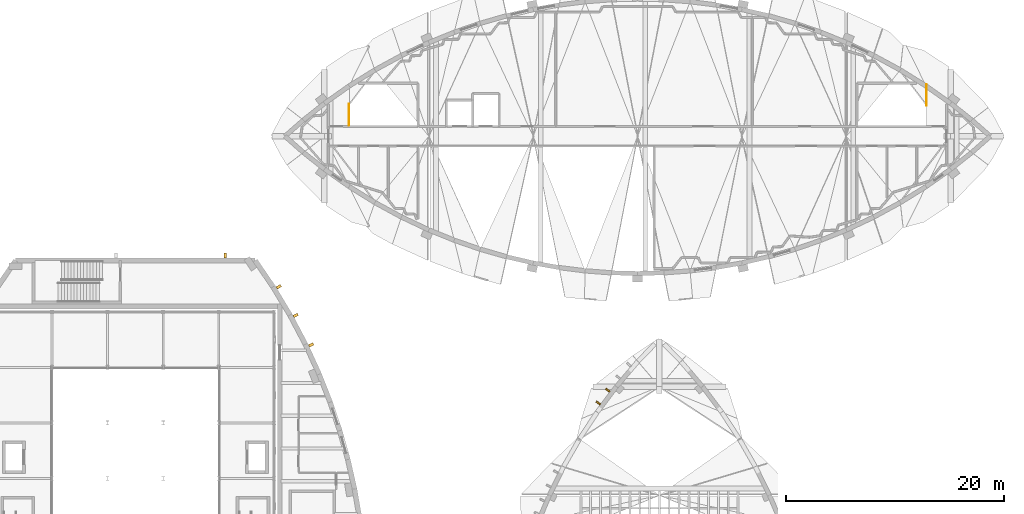
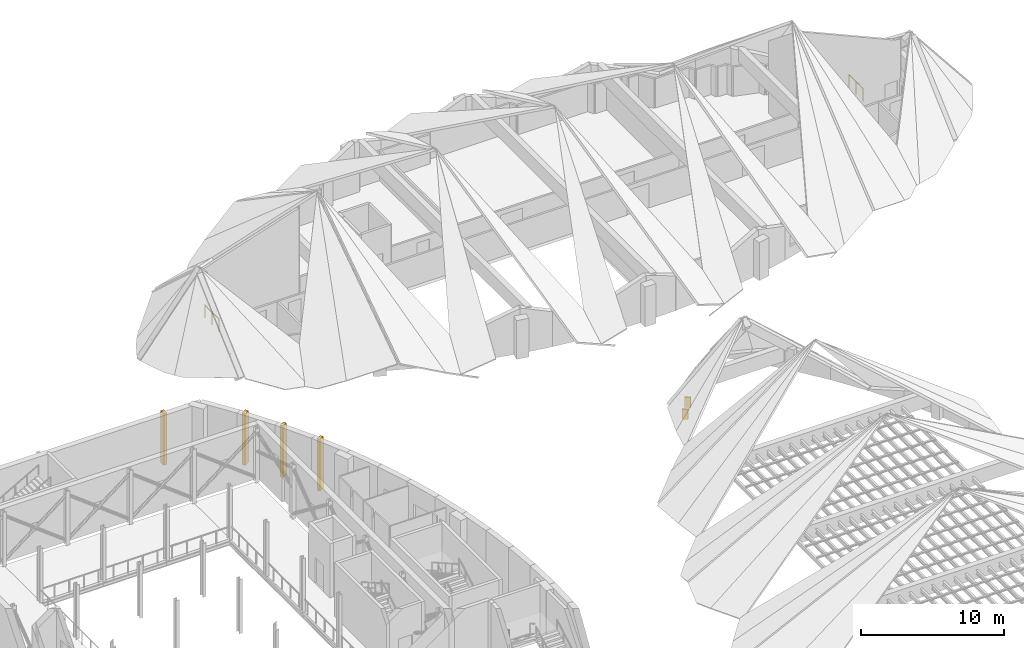
# One storey, part 55 of 56: 6 shading devices, 2 railings.
"""IFC4 building model written with IfcOpenShell, lengths in metres."""

from ifc_helpers import new_model, si_unit, direction, frame, origin, origin_2d, place, context, subcontext, project, spatial, rectangle, circle, extrude, material, layer, layer_set, type_object, element, save


model = new_model("IFC4")

# Units and contexts
model_context = context("Model", 3, precision=1e-05, world=origin(), true_north=direction((0.0, 1.0)))
body_context = subcontext(model_context, "Body", "Model", "MODEL_VIEW")
ifc_project = project(units=[si_unit("LENGTHUNIT", "METRE"), si_unit("AREAUNIT", "SQUARE_METRE"), si_unit("VOLUMEUNIT", "CUBIC_METRE"), si_unit("PLANEANGLEUNIT", "RADIAN"), si_unit("MASSUNIT", "GRAM", prefix="KILO")], contexts=[model_context])

# Site, building, storey
site_placement = place(None, origin())
site = spatial("IfcSite", under=ifc_project, at=site_placement, CompositionType="ELEMENT")
building_placement = place(site_placement, origin())
building = spatial("IfcBuilding", under=site, at=building_placement, Name="Tide Square Theatres", CompositionType="ELEMENT")
storey_placement = place(building_placement, frame((0.0, 0.0, 10.199951171875)))
storey = spatial("IfcBuildingStorey", under=building, at=storey_placement, Name="L02", CompositionType="ELEMENT", Elevation=10.199951171875)

# Shading devices
ifc_material_1 = material(Name="Concrete C40", Category="concrete")
ifc_layer = layer(ifc_material_1, 0.14990234375)
ifc_layer_set = layer_set([ifc_layer], Name="Concrete C40")
shading_device_type = type_object("IfcShadingDeviceType", Name="Concrete fin 450", PredefinedType="USERDEFINED", material=ifc_layer_set)
for number, where, z_axis, x_axis, name in (
    (1, (100.101318359375, 78.6943359375, 0.0), (0.0, 0.0, 1.0), (-0.416344267901, 0.90920704495, 0.0), "Concrete fin"),
    (2, (98.693603515625, 81.395751953125, 0.0), (0.0, 0.0, 1.0), (-0.466757131825, 0.884385538038, 0.0), "Concrete fin"),
    (3, (97.13671875, 84.013671875, 0.0), (0.0, 0.0, 1.0), (-0.515681226646, 0.856780527606, 0.0), "Concrete fin"),
    (4, (92.22412109375, 86.867431640625, 0.0), (0.0, 0.0, 1.0), (-1.0, 0.0, 0.0), "Concrete fin"),
):
    element("IfcShadingDevice", number, at=place(storey_placement, frame(where, z_axis=z_axis, x_axis=x_axis)), inside=storey, type_object=shading_device_type, Name=name, ObjectType="BRISE-SOLEIL FIN", PredefinedType="USERDEFINED", context=body_context, shape_type="SweptSolid", body=[
        extrude(rectangle(XDim=0.25, YDim=0.449951171875, at=origin_2d()), origin(), (0.0, 0.0, 1.0), 4.39990234375),
    ])
for number, where, z_axis, x_axis, name in (
    (5, (127.277099609375, 74.541748046875, 0.0), (0.0, 0.0, 1.0), (-0.600769096416, -0.799422599625, 0.0), "Concrete fin"),
    (6, (126.400390625, 73.375, 0.0), (0.0, 0.0, 1.0), (-0.600769096416, -0.799422599625, 0.0), "Concrete fin"),
):
    element("IfcShadingDevice", number, at=place(storey_placement, frame(where, z_axis=z_axis, x_axis=x_axis)), inside=storey, type_object=shading_device_type, Name=name, ObjectType="BRISE-SOLEIL FIN", PredefinedType="USERDEFINED", context=body_context, shape_type="SweptSolid", body=[
        extrude(rectangle(XDim=0.14990234375, YDim=0.449951171875, at=origin_2d()), origin(), (0.0, 0.0, 1.0), 0.849853515625),
    ])

# Railings
ifc_material_2 = material(Name="Painted steel", Category="steel")
railing_type = type_object("IfcRailingType", Name="Steel guard 1100", PredefinedType="GUARDRAIL", material=ifc_material_2)
railing_1_placement = place(storey_placement, frame((103.550048828125, 98.800048828125, 0.0)))
element("IfcRailing", 7, at=railing_1_placement, inside=storey, type_object=railing_type, Name="L02 RST-1 top well guard 1", PredefinedType="GUARDRAIL", context=body_context, shape_type="SweptSolid", body=[
    extrude(circle(Radius=0.02392578125, at=origin_2d()), frame((0.0, 0.0, 1.076171875), z_axis=(0.0, 1.0, 0.0), x_axis=(-1.0, 0.0, 0.0)), (0.0, 0.0, 1.0), 1.949951171875),
    extrude(circle(Radius=0.02099609375, at=origin_2d()), origin(), (0.0, 0.0, 1.0), 1.052001953125),
    extrude(circle(Radius=0.02099609375, at=origin_2d()), frame((0.0, 0.97509765625, 0.0)), (0.0, 0.0, 1.0), 1.052001953125),
    extrude(circle(Radius=0.02099609375, at=origin_2d()), frame((0.0, 1.949951171875, 0.0)), (0.0, 0.0, 1.0), 1.052001953125),
])
railing_2_placement = place(storey_placement, frame((156.449951171875, 102.550048828125, 0.0)))
element("IfcRailing", 8, at=railing_2_placement, inside=storey, type_object=railing_type, Name="L02 RST-2 top well guard 1", PredefinedType="GUARDRAIL", context=body_context, shape_type="SweptSolid", body=[
    extrude(circle(Radius=0.02392578125, at=origin_2d()), frame((0.0, 0.0, 1.076171875), z_axis=(0.0, -1.0, 0.0), x_axis=(1.0, 0.0, 0.0)), (0.0, 0.0, 1.0), 1.949951171875),
    extrude(circle(Radius=0.02099609375, at=origin_2d()), origin(), (0.0, 0.0, 1.0), 1.052001953125),
    extrude(circle(Radius=0.02099609375, at=origin_2d()), frame((0.0, -0.97509765625, 0.0)), (0.0, 0.0, 1.0), 1.052001953125),
    extrude(circle(Radius=0.02099609375, at=origin_2d()), frame((0.0, -1.949951171875, 0.0)), (0.0, 0.0, 1.0), 1.052001953125),
])

save(model, "model.ifc")
